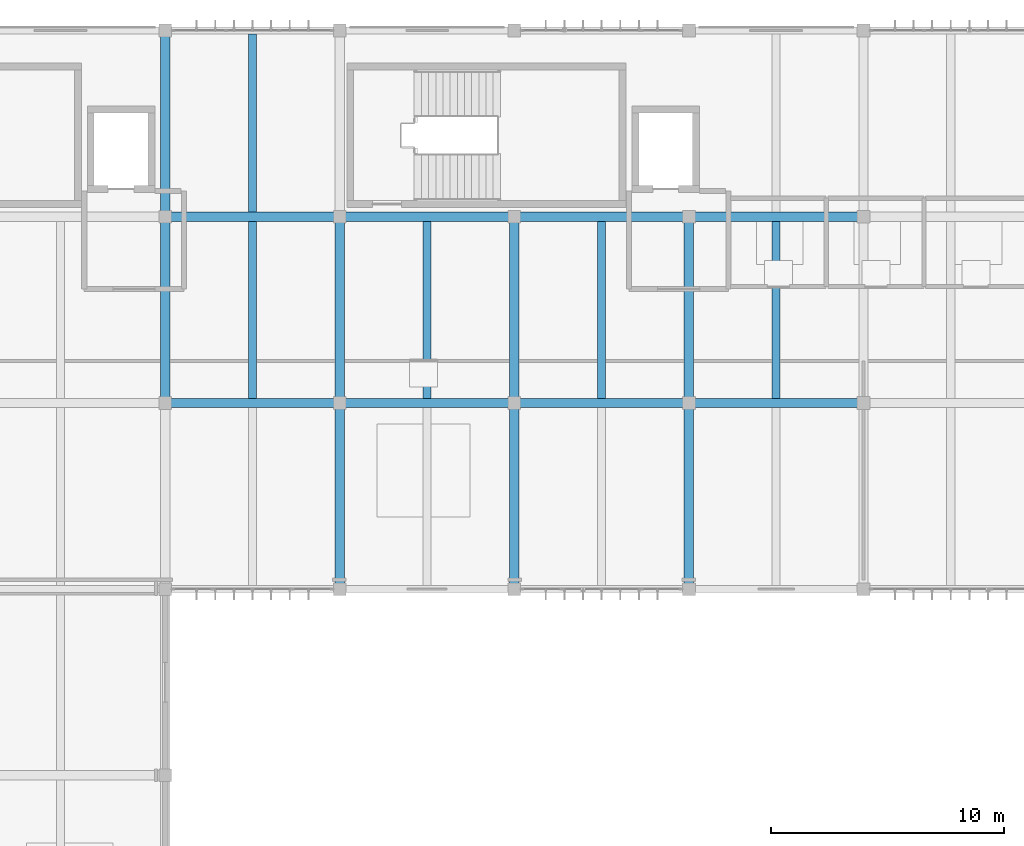
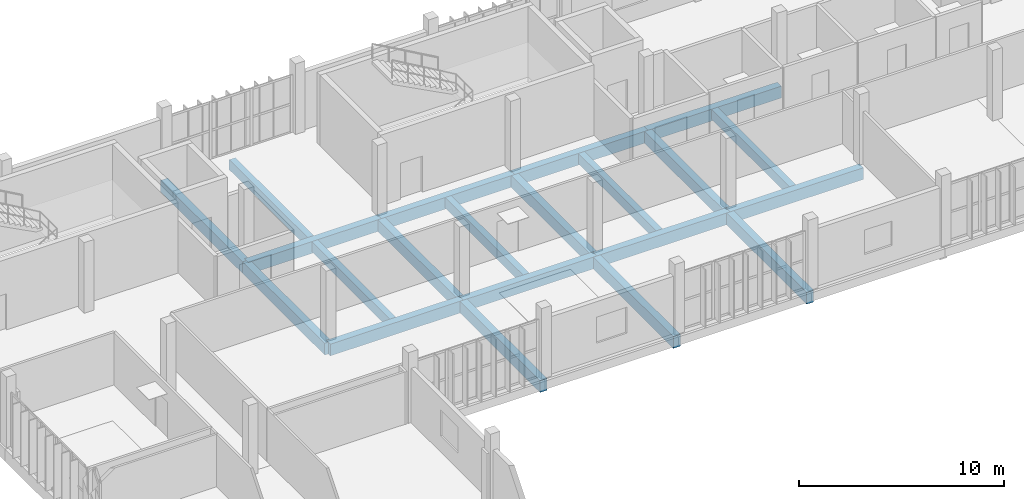
# One storey, part 12 of 61: 21 beams.
"""IFC4 building model written with IfcOpenShell, lengths in metres."""

from ifc_helpers import new_model, si_unit, direction, frame, origin, origin_2d, place, context, subcontext, project, spatial, rectangle, extrude, material, material_profile, profile_set, type_object, element, save


model = new_model("IFC4")

# Units and contexts
model_context = context("Model", 3, precision=1e-05, world=origin(), true_north=direction((0.0, 1.0)))
body_context = subcontext(model_context, "Body", "Model", "MODEL_VIEW")
ifc_project = project(units=[si_unit("LENGTHUNIT", "METRE"), si_unit("AREAUNIT", "SQUARE_METRE"), si_unit("VOLUMEUNIT", "CUBIC_METRE"), si_unit("PLANEANGLEUNIT", "RADIAN"), si_unit("MASSUNIT", "GRAM", prefix="KILO")], contexts=[model_context])

# Site, building, storey
site_placement = place(None, origin())
site = spatial("IfcSite", under=ifc_project, at=site_placement, CompositionType="ELEMENT")
building_placement = place(site_placement, origin())
building = spatial("IfcBuilding", under=site, at=building_placement, Name="Vourika Railside Aquatics Centre", CompositionType="ELEMENT")
storey_placement = place(building_placement, frame((0.0, 0.0, 9.300048828125)))
storey = spatial("IfcBuildingStorey", under=building, at=storey_placement, Name="L02", CompositionType="ELEMENT", Elevation=9.300048828125)

# Beams
ifc_material = material(Name="Concrete C35/45", Category="concrete")
ifc_material_profile_1 = material_profile(ifc_material, rectangle(XDim=0.39990234375, YDim=0.699951171875, at=origin_2d()), Name="RC 400x700")
ifc_profile_set_1 = profile_set([ifc_material_profile_1], Name="Concrete C35/45")
beam_type_1 = type_object("IfcBeamType", Name="BM-GIRD-400x700", PredefinedType="BEAM", material=ifc_profile_set_1)
for number, where, z_axis, x_axis, name in (
    (1, (36.0, 100.0, -0.630126953125), (1.0, 0.0, 0.0), (0.0, 1.0, 0.0), "Floor Beam GX-L02-105"),
    (2, (43.5, 100.0, -0.630126953125), (1.0, 0.0, 0.0), (0.0, 1.0, 0.0), "Floor Beam GX-L02-106"),
    (3, (51.0, 100.0, -0.630126953125), (1.0, 0.0, 0.0), (0.0, 1.0, 0.0), "Floor Beam GX-L02-107"),
    (4, (58.5, 100.0, -0.630126953125), (1.0, 0.0, 0.0), (0.0, 1.0, 0.0), "Floor Beam GX-L02-108"),
    (5, (36.0, 108.0, -0.630126953125), (1.0, 0.0, 0.0), (0.0, 1.0, 0.0), "Floor Beam GX-L02-120"),
    (6, (43.5, 108.0, -0.630126953125), (1.0, 0.0, 0.0), (0.0, 1.0, 0.0), "Floor Beam GX-L02-121"),
    (7, (51.0, 108.0, -0.630126953125), (1.0, 0.0, 0.0), (0.0, 1.0, 0.0), "Floor Beam GX-L02-122"),
    (8, (58.5, 108.0, -0.630126953125), (1.0, 0.0, 0.0), (0.0, 1.0, 0.0), "Floor Beam GX-L02-123"),
):
    element("IfcBeam", number, at=place(storey_placement, frame(where, z_axis=z_axis, x_axis=x_axis)), inside=storey, type_object=beam_type_1, Name=name, PredefinedType="BEAM", context=body_context, shape_type="SweptSolid", body=[
        extrude(rectangle(XDim=0.39990234375, YDim=0.699951171875, at=origin_2d()), origin(), (0.0, 0.0, 1.0), 7.5),
    ])
for number, where, z_axis, x_axis, name in (
    (9, (36.0, 100.0, -0.630126953125), (0.0, 1.0, 0.0), (-1.0, 0.0, 0.0), "Floor Girder GY-L02-179"),
    (10, (36.0, 108.0, -0.630126953125), (0.0, 1.0, 0.0), (-1.0, 0.0, 0.0), "Floor Girder GY-L02-180"),
    (11, (43.5, 92.0, -0.630126953125), (0.0, 1.0, 0.0), (-1.0, 0.0, 0.0), "Floor Girder GY-L02-184"),
    (12, (43.5, 100.0, -0.630126953125), (0.0, 1.0, 0.0), (-1.0, 0.0, 0.0), "Floor Girder GY-L02-185"),
    (13, (51.0, 92.0, -0.630126953125), (0.0, 1.0, 0.0), (-1.0, 0.0, 0.0), "Floor Girder GY-L02-190"),
    (14, (51.0, 100.0, -0.630126953125), (0.0, 1.0, 0.0), (-1.0, 0.0, 0.0), "Floor Girder GY-L02-191"),
    (15, (58.5, 92.0, -0.630126953125), (0.0, 1.0, 0.0), (-1.0, 0.0, 0.0), "Floor Girder GY-L02-195"),
    (16, (58.5, 100.0, -0.630126953125), (0.0, 1.0, 0.0), (-1.0, 0.0, 0.0), "Floor Girder GY-L02-196"),
):
    element("IfcBeam", number, at=place(storey_placement, frame(where, z_axis=z_axis, x_axis=x_axis)), inside=storey, type_object=beam_type_1, Name=name, PredefinedType="BEAM", context=body_context, shape_type="SweptSolid", body=[
        extrude(rectangle(XDim=0.39990234375, YDim=0.699951171875, at=origin_2d()), origin(), (0.0, 0.0, 1.0), 8.0),
    ])
ifc_material_profile_2 = material_profile(ifc_material, rectangle(XDim=0.35009765625, YDim=0.60009765625, at=origin_2d()), Name="RC 350x600")
ifc_profile_set_2 = profile_set([ifc_material_profile_2], Name="Concrete C35/45")
beam_type_2 = type_object("IfcBeamType", Name="BM-SEC-350x600", PredefinedType="JOIST", material=ifc_profile_set_2)
for number, where, z_axis, x_axis, name in (
    (17, (39.75, 100.199951171875, -0.580078125), (0.0, 1.0, 0.0), (-1.0, 0.0, 0.0), "Secondary Joist JY-L02-351"),
    (18, (47.25, 100.199951171875, -0.580078125), (0.0, 1.0, 0.0), (-1.0, 0.0, 0.0), "Secondary Joist JY-L02-352"),
    (19, (54.75, 100.199951171875, -0.580078125), (0.0, 1.0, 0.0), (-1.0, 0.0, 0.0), "Secondary Joist JY-L02-353"),
    (20, (62.25, 100.199951171875, -0.580078125), (0.0, 1.0, 0.0), (-1.0, 0.0, 0.0), "Secondary Joist JY-L02-354"),
):
    element("IfcBeam", number, at=place(storey_placement, frame(where, z_axis=z_axis, x_axis=x_axis)), inside=storey, type_object=beam_type_2, Name=name, PredefinedType="JOIST", context=body_context, shape_type="SweptSolid", body=[
        extrude(rectangle(XDim=0.35009765625, YDim=0.60009765625, at=origin_2d()), origin(), (0.0, 0.0, 1.0), 7.60009765625),
    ])
beam_placement = place(storey_placement, frame((39.75, 108.199951171875, -0.580078125), z_axis=(0.0, 1.0, 0.0), x_axis=(-1.0, 0.0, 0.0)))
element("IfcBeam", 21, at=beam_placement, inside=storey, type_object=beam_type_2, Name="Secondary Joist JY-L02-364", PredefinedType="JOIST", context=body_context, shape_type="SweptSolid", body=[
    extrude(rectangle(XDim=0.35009765625, YDim=0.60009765625, at=origin_2d()), origin(), (0.0, 0.0, 1.0), 7.650146484375),
])

save(model, "model.ifc")
